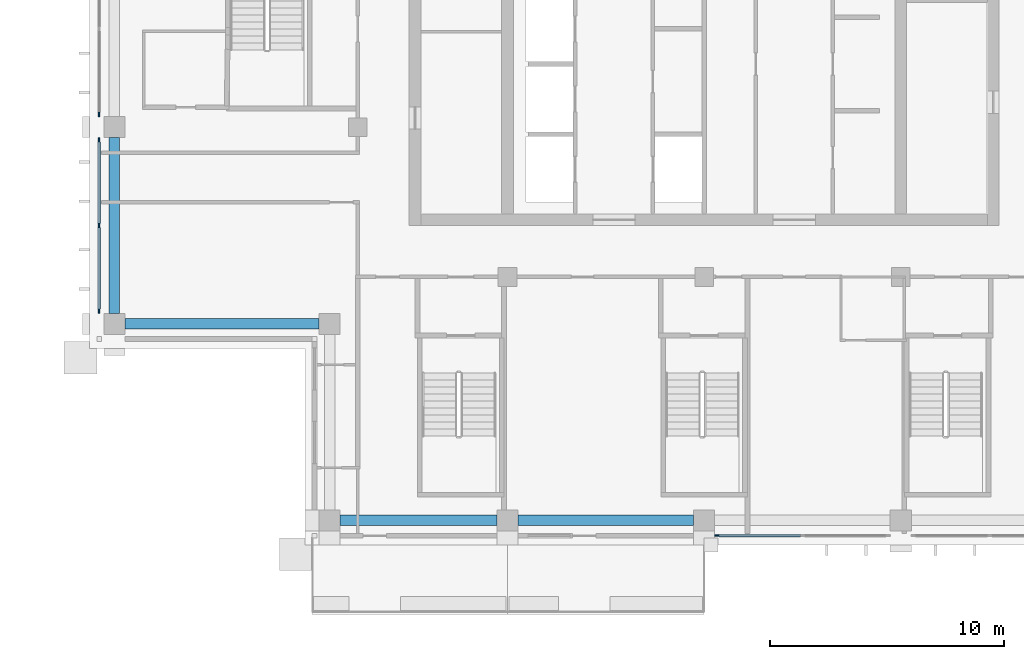
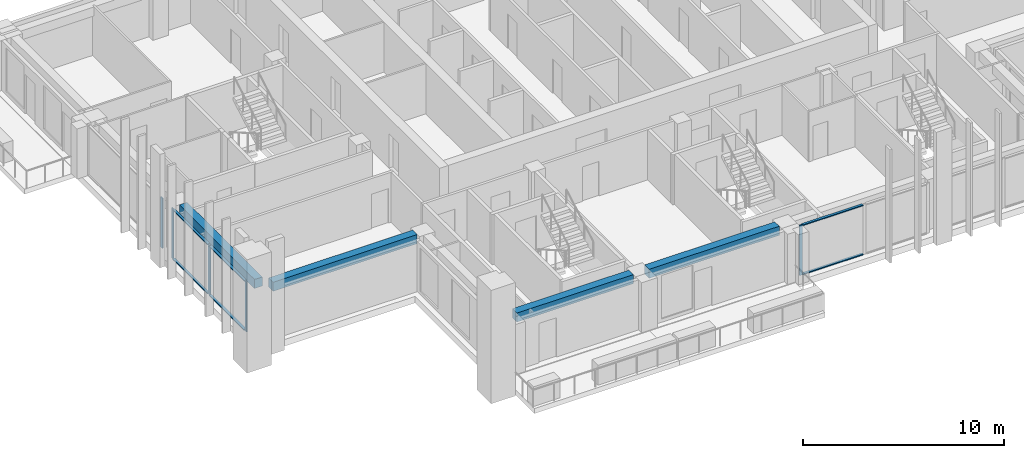
# One storey, part 2 of 16: 11 members, 4 beams, 3 elements without a shape of their own.
"""IFC4 building model written with IfcOpenShell, lengths in metres."""

from ifc_helpers import new_model, si_unit, direction, frame, origin, origin_2d, place, context, subcontext, project, spatial, rectangle, extrude, material, material_profile, profile_set, type_object, element, aggregate, save


model = new_model("IFC4")

# Units and contexts
model_context = context("Model", 3, precision=1e-05, world=origin(), true_north=direction((0.0, 1.0)))
body_context = subcontext(model_context, "Body", "Model", "MODEL_VIEW")
ifc_project = project(units=[si_unit("LENGTHUNIT", "METRE"), si_unit("AREAUNIT", "SQUARE_METRE"), si_unit("VOLUMEUNIT", "CUBIC_METRE"), si_unit("PLANEANGLEUNIT", "RADIAN"), si_unit("MASSUNIT", "GRAM", prefix="KILO")], contexts=[model_context])

# Site, building, storey
site_placement = place(None, origin())
site = spatial("IfcSite", under=ifc_project, at=site_placement, CompositionType="ELEMENT")
building_placement = place(site_placement, origin())
building = spatial("IfcBuilding", under=site, at=building_placement, Name="Vermilion Ogive Tower", CompositionType="ELEMENT")
storey_placement = place(building_placement, frame((0.0, 0.0, 233.800048828125)))
storey = spatial("IfcBuildingStorey", under=building, at=storey_placement, Name="L61", CompositionType="ELEMENT", Elevation=233.800048828125)

# Curtain wall, member
ifc_material_1 = material(Name="Low-iron laminated glazing in aluminium frame", Category="aluminium")
curtain_wall_type = type_object("IfcCurtainWallType", Name="Curtain wall CW7", PredefinedType="NOTDEFINED", material=ifc_material_1)
curtain_wall_1_placement = place(storey_placement, origin())
curtain_wall_1 = element("IfcCurtainWall", 1, at=curtain_wall_1_placement, inside=storey, type_object=curtain_wall_type, Name="Glazed skin S3", PredefinedType="NOTDEFINED")
ifc_material_2 = material(Name="Aluminium mullion", Category="aluminium")
ifc_material_profile_1 = material_profile(ifc_material_2, rectangle(XDim=0.06005859375, YDim=0.179931640625, at=origin_2d()), Name="AL 60x180")
ifc_profile_set_1 = profile_set([ifc_material_profile_1], Name="Aluminium mullion")
member_type_1 = type_object("IfcMemberType", Name="CW7 mullion 60x180", PredefinedType="MULLION", material=ifc_profile_set_1)
member_1_placement = place(storey_placement, frame((0.5400390625, -21.64990234375, 0.0), z_axis=(0.0, 0.0, 1.0), x_axis=(0.0, 1.0, 0.0)))
member_1 = element("IfcMember", 2, at=member_1_placement, type_object=member_type_1, Name="CW7-S3 mullion 1", PredefinedType="MULLION", context=body_context, shape_type="SweptSolid", body=[
    extrude(rectangle(XDim=0.06005859375, YDim=0.179931640625, at=origin_2d()), origin(), (0.0, 0.0, 1.0), 3.050048828125),
])

curtain_wall_2_placement = place(storey_placement, origin())
curtain_wall_2 = element("IfcCurtainWall", 3, at=curtain_wall_2_placement, inside=storey, type_object=curtain_wall_type, Name="Glazed skin W2", PredefinedType="NOTDEFINED")
member_2_placement = place(storey_placement, frame((-25.85009765625, -3.659912109375, 0.0), z_axis=(0.0, 0.0, 1.0), x_axis=(1.0, 0.0, 0.0)))
member_2 = element("IfcMember", 4, at=member_2_placement, type_object=member_type_1, Name="CW7-W2 mullion 3", PredefinedType="MULLION", context=body_context, shape_type="SweptSolid", body=[
    extrude(rectangle(XDim=0.06005859375, YDim=0.179931640625, at=origin_2d()), origin(), (0.0, 0.0, 1.0), 3.050048828125),
])
aggregate(curtain_wall_2, [member_2])

# Curtain wall, members
curtain_wall_3_placement = place(storey_placement, origin())
curtain_wall_3 = element("IfcCurtainWall", 5, at=curtain_wall_3_placement, inside=storey, type_object=curtain_wall_type, Name="Glazed skin W3", PredefinedType="NOTDEFINED")
member_3_placement = place(storey_placement, frame((-25.85009765625, -4.739990234375, 0.0), z_axis=(0.0, 0.0, 1.0), x_axis=(1.0, 0.0, 0.0)))
member_3 = element("IfcMember", 6, at=member_3_placement, type_object=member_type_1, Name="CW7-W3 mullion 1", PredefinedType="MULLION", context=body_context, shape_type="SweptSolid", body=[
    extrude(rectangle(XDim=0.06005859375, YDim=0.179931640625, at=origin_2d()), origin(), (0.0, 0.0, 1.0), 3.050048828125),
])
member_4_placement = place(storey_placement, frame((-25.85009765625, -8.39990234375, 0.0), z_axis=(0.0, 0.0, 1.0), x_axis=(1.0, 0.0, 0.0)))
member_4 = element("IfcMember", 7, at=member_4_placement, type_object=member_type_1, Name="CW7-W3 mullion 2", PredefinedType="MULLION", context=body_context, shape_type="SweptSolid", body=[
    extrude(rectangle(XDim=0.06005859375, YDim=0.179931640625, at=origin_2d()), origin(), (0.0, 0.0, 1.0), 3.050048828125),
])
member_5_placement = place(storey_placement, frame((-25.85009765625, -12.06005859375, 0.0), z_axis=(0.0, 0.0, 1.0), x_axis=(1.0, 0.0, 0.0)))
member_5 = element("IfcMember", 8, at=member_5_placement, type_object=member_type_1, Name="CW7-W3 mullion 3", PredefinedType="MULLION", context=body_context, shape_type="SweptSolid", body=[
    extrude(rectangle(XDim=0.06005859375, YDim=0.179931640625, at=origin_2d()), origin(), (0.0, 0.0, 1.0), 3.050048828125),
])

# Member
ifc_material_3 = material(Name="Aluminium transom", Category="aluminium")
ifc_material_profile_2 = material_profile(ifc_material_3, rectangle(XDim=0.139892578125, YDim=0.06005859375, at=origin_2d()), Name="AL 60x140")
ifc_profile_set_2 = profile_set([ifc_material_profile_2], Name="Aluminium transom")
member_type_2 = type_object("IfcMemberType", Name="CW7 transom 60x140", PredefinedType="USERDEFINED", material=ifc_profile_set_2)
member_6_placement = place(storey_placement, frame((0.6298828125, -21.64990234375, 0.030029296875), z_axis=(1.0, 0.0, 0.0), x_axis=(0.0, 1.0, 0.0)))
member_6 = element("IfcMember", 9, at=member_6_placement, type_object=member_type_2, Name="CW7-S3 transom 1.1", ObjectType="TRANSOM", PredefinedType="USERDEFINED", context=body_context, shape_type="SweptSolid", body=[
    extrude(rectangle(XDim=0.139892578125, YDim=0.06005859375, at=origin_2d()), origin(), (0.0, 0.0, 1.0), 3.480224609375),
])

member_7_placement = place(storey_placement, frame((0.6298828125, -21.64990234375, 3.02001953125), z_axis=(1.0, 0.0, 0.0), x_axis=(0.0, 1.0, 0.0)))
member_7 = element("IfcMember", 10, at=member_7_placement, type_object=member_type_2, Name="CW7-S3 transom 1.2", ObjectType="TRANSOM", PredefinedType="USERDEFINED", context=body_context, shape_type="SweptSolid", body=[
    extrude(rectangle(XDim=0.139892578125, YDim=0.06005859375, at=origin_2d()), origin(), (0.0, 0.0, 1.0), 3.480224609375),
])

aggregate(curtain_wall_1, [member_1, member_6, member_7])

member_8_placement = place(storey_placement, frame((-25.85009765625, -4.830078125, 0.030029296875), z_axis=(0.0, -1.0, 0.0), x_axis=(1.0, 0.0, 0.0)))
member_8 = element("IfcMember", 11, at=member_8_placement, type_object=member_type_2, Name="CW7-W3 transom 1.1", ObjectType="TRANSOM", PredefinedType="USERDEFINED", context=body_context, shape_type="SweptSolid", body=[
    extrude(rectangle(XDim=0.139892578125, YDim=0.06005859375, at=origin_2d()), origin(), (0.0, 0.0, 1.0), 3.47998046875),
])

member_9_placement = place(storey_placement, frame((-25.85009765625, -4.830078125, 3.02001953125), z_axis=(0.0, -1.0, 0.0), x_axis=(1.0, 0.0, 0.0)))
member_9 = element("IfcMember", 12, at=member_9_placement, type_object=member_type_2, Name="CW7-W3 transom 1.2", ObjectType="TRANSOM", PredefinedType="USERDEFINED", context=body_context, shape_type="SweptSolid", body=[
    extrude(rectangle(XDim=0.139892578125, YDim=0.06005859375, at=origin_2d()), origin(), (0.0, 0.0, 1.0), 3.47998046875),
])

member_10_placement = place(storey_placement, frame((-25.85009765625, -8.489990234375, 0.030029296875), z_axis=(0.0, -1.0, 0.0), x_axis=(1.0, 0.0, 0.0)))
member_10 = element("IfcMember", 13, at=member_10_placement, type_object=member_type_2, Name="CW7-W3 transom 2.1", ObjectType="TRANSOM", PredefinedType="USERDEFINED", context=body_context, shape_type="SweptSolid", body=[
    extrude(rectangle(XDim=0.139892578125, YDim=0.06005859375, at=origin_2d()), origin(), (0.0, 0.0, 1.0), 3.47998046875),
])

member_11_placement = place(storey_placement, frame((-25.85009765625, -8.489990234375, 3.02001953125), z_axis=(0.0, -1.0, 0.0), x_axis=(1.0, 0.0, 0.0)))
member_11 = element("IfcMember", 14, at=member_11_placement, type_object=member_type_2, Name="CW7-W3 transom 2.2", ObjectType="TRANSOM", PredefinedType="USERDEFINED", context=body_context, shape_type="SweptSolid", body=[
    extrude(rectangle(XDim=0.139892578125, YDim=0.06005859375, at=origin_2d()), origin(), (0.0, 0.0, 1.0), 3.47998046875),
])

aggregate(curtain_wall_3, [member_3, member_4, member_5, member_8, member_9, member_10, member_11])

# Beams
ifc_material_4 = material(Name="Concrete B45", Category="concrete")
ifc_material_profile_3 = material_profile(ifc_material_4, rectangle(XDim=0.449951171875, YDim=0.550048828125, at=origin_2d()), Name="450 x 550")
ifc_profile_set_3 = profile_set([ifc_material_profile_3], Name="Concrete B45")
beam_type = type_object("IfcBeamType", Name="Edge beam 450 x 550 B45", PredefinedType="BEAM", material=ifc_profile_set_3)
beam_1_placement = place(storey_placement, frame((-15.550048828125, -21.0, 2.77490234375), z_axis=(1.0, 0.0, 0.0), x_axis=(0.0, 1.0, 0.0)))
element("IfcBeam", 15, at=beam_1_placement, inside=storey, type_object=beam_type, Name="L61-EB-1", PredefinedType="BEAM", context=body_context, shape_type="SweptSolid", body=[
    extrude(rectangle(XDim=0.449951171875, YDim=0.550048828125, at=origin_2d()), origin(), (0.0, 0.0, 1.0), 6.699951171875),
])
for number, where, z_axis, x_axis, name in (
    (16, (-7.949951171875, -21.0, 2.77490234375), (1.0, 0.0, 0.0), (0.0, 1.0, 0.0), "L61-EB-2"),
    (17, (-25.199951171875, -4.64990234375, 2.77490234375), (0.0, -1.0, 0.0), (1.0, 0.0, 0.0), "L61-EB-16"),
):
    element("IfcBeam", number, at=place(storey_placement, frame(where, z_axis=z_axis, x_axis=x_axis)), inside=storey, type_object=beam_type, Name=name, PredefinedType="BEAM", context=body_context, shape_type="SweptSolid", body=[
        extrude(rectangle(XDim=0.449951171875, YDim=0.550048828125, at=origin_2d()), origin(), (0.0, 0.0, 1.0), 7.5),
    ])
beam_2_placement = place(storey_placement, frame((-24.75, -12.60009765625, 2.77490234375), z_axis=(1.0, 0.0, 0.0), x_axis=(0.0, 1.0, 0.0)))
element("IfcBeam", 18, at=beam_2_placement, inside=storey, type_object=beam_type, Name="L61-EB-17", PredefinedType="BEAM", context=body_context, shape_type="SweptSolid", body=[
    extrude(rectangle(XDim=0.449951171875, YDim=0.550048828125, at=origin_2d()), origin(), (0.0, 0.0, 1.0), 8.300048828125),
])

save(model, "model.ifc")
